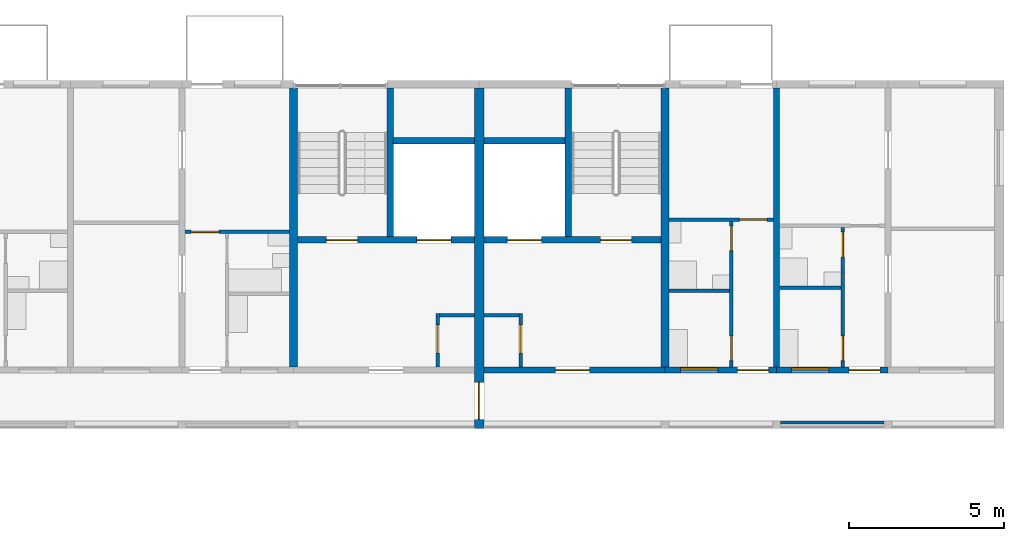
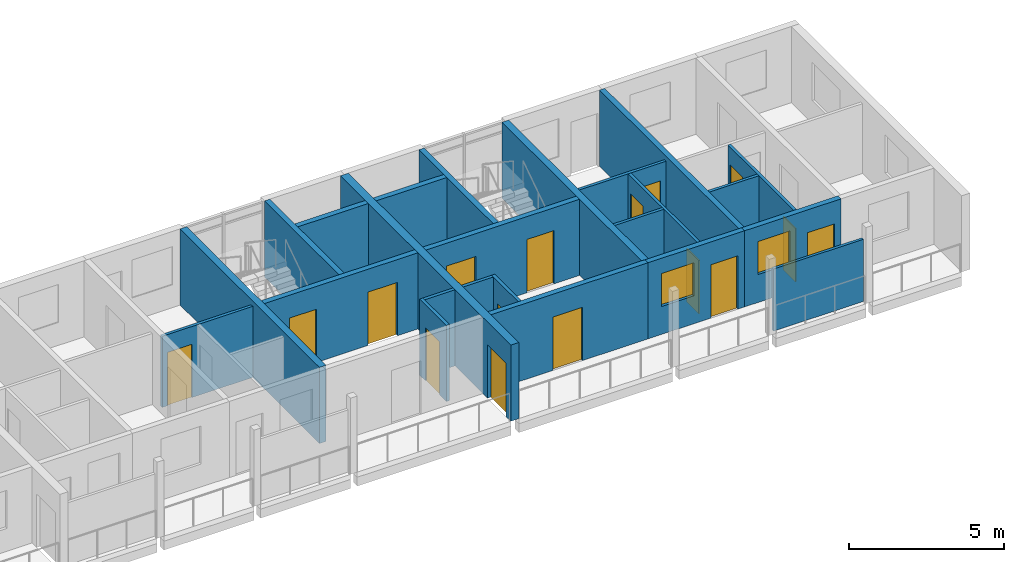
# One storey, part 57 of 93: 24 walls, 16 doors, 2 windows, 18 openings.
"""IFC4 building model written with IfcOpenShell, lengths in metres."""

from ifc_helpers import new_model, si_unit, direction, frame, frame_2d, origin, place, context, subcontext, project, spatial, rectangle, extrude, material, layer, layer_set, type_object, element, fill, save


model = new_model("IFC4")

# Units and contexts
model_context = context("Model", 3, precision=1e-05, world=origin(), true_north=direction((0.0, 1.0)))
body_context = subcontext(model_context, "Body", "Model", "MODEL_VIEW")
ifc_project = project(units=[si_unit("LENGTHUNIT", "METRE"), si_unit("AREAUNIT", "SQUARE_METRE"), si_unit("VOLUMEUNIT", "CUBIC_METRE"), si_unit("PLANEANGLEUNIT", "RADIAN"), si_unit("MASSUNIT", "GRAM", prefix="KILO")], contexts=[model_context])

# Site, building, storey
site_placement = place(None, origin())
site = spatial("IfcSite", under=ifc_project, at=site_placement, CompositionType="ELEMENT")
building_placement = place(site_placement, origin())
building = spatial("IfcBuilding", under=site, at=building_placement, Name="Ridgestep Commons", CompositionType="ELEMENT")
storey_placement = place(building_placement, frame((0.0, 0.0, 18.0)))
storey = spatial("IfcBuildingStorey", under=building, at=storey_placement, Name="L06", CompositionType="ELEMENT", Elevation=18.0)

# Walls
ifc_material_1 = material(Name="Concrete C30/37", Category="concrete")
ifc_layer_1 = layer(ifc_material_1, 0.25)
ifc_layer_set_1 = layer_set([ifc_layer_1], Name="Core cross wall 250")
wall_type_1 = type_object("IfcWallType", Name="Core cross wall 250", PredefinedType="SHEAR", material=ifc_layer_set_1)
for number, where, z_axis, x_axis, name in (
    (1, (224.800048828125, 68.0, 0.0), (0.0, 0.0, 1.0), (0.0, 1.0, 0.0), "Cross wall C-06-2248"),
    (2, (236.800048828125, 68.0, 0.0), (0.0, 0.0, 1.0), (0.0, 1.0, 0.0), "Cross wall C-06-2368"),
):
    element("IfcWall", number, at=place(storey_placement, frame(where, z_axis=z_axis, x_axis=x_axis)), inside=storey, type_object=wall_type_1, Name=name, PredefinedType="SHEAR", context=body_context, shape_type="SweptSolid", body=[
        extrude(rectangle(XDim=9.0, YDim=0.25, at=frame_2d((4.5, 0.0))), origin(), (0.0, 0.0, 1.0), 3.0),
    ])

# Wall, opening, door
ifc_material_2 = material(Name="Concrete C30/37", Category="concrete")
ifc_layer_2 = layer(ifc_material_2, 0.199951171875)
ifc_layer_set_2 = layer_set([ifc_layer_2], Name="Core south wall 200")
wall_type_2 = type_object("IfcWallType", Name="Core south wall 200", PredefinedType="SHEAR", material=ifc_layer_set_2)
wall_1_placement = place(storey_placement, frame((230.949951171875, 67.89990234375, 0.0), z_axis=(0.0, 0.0, 1.0), x_axis=(1.0, 0.0, 0.0)))
wall_1 = element("IfcWall", 3, at=wall_1_placement, inside=storey, type_object=wall_type_2, Name="Core south wall C6C L06", PredefinedType="SHEAR", context=body_context, shape_type="SweptSolid", body=[
    extrude(rectangle(XDim=5.85009765625, YDim=0.199951171875, at=frame_2d((2.925048828125, 0.0))), origin(), (0.0, 0.0, 1.0), 3.0),
])
opening_1_placement = place(wall_1_placement, frame((2.3125, 0.0, 0.0)))
opening_1 = element("IfcOpeningElement", 4, at=opening_1_placement, cuts=wall_1, Name="Opening C6C/06/1", PredefinedType="OPENING", context=body_context, shape_type="SweptSolid", body=[
    extrude(rectangle(XDim=1.10009765625, YDim=2.10009765625, at=frame_2d((0.550048828125, 1.050048828125))), frame((0.0, 0.10986328125, 0.0), z_axis=(0.0, -1.0, 0.0), x_axis=(1.0, 0.0, 0.0)), (0.0, 0.0, 1.0), 0.219970703125),
])
ifc_material_3 = material(Name="Steel fire door", Category="steel")
door_type_1 = type_object("IfcDoorType", Name="Lobby door 1100 x 2100 FD60", OperationType="NOTDEFINED", PredefinedType="DOOR", material=ifc_material_3)
door_1_placement = place(opening_1_placement, origin())
door_1 = element("IfcDoor", 5, at=door_1_placement, inside=storey, type_object=door_type_1, Name="Lobby door C6C/06/1", OperationType="SINGLE_SWING_LEFT", OverallHeight=2.10009765625, OverallWidth=1.10009765625, PredefinedType="DOOR", context=body_context, shape_type="SweptSolid", body=[
    extrude(rectangle(XDim=1.10009765625, YDim=2.10009765625, at=frame_2d((0.550048828125, 1.050048828125))), frame((0.0, 0.02490234375, 0.0), z_axis=(0.0, -1.0, 0.0), x_axis=(1.0, 0.0, 0.0)), (0.0, 0.0, 1.0), 0.050048828125),
])
fill(opening_1, door_1)

ifc_material_4 = material(Name="Concrete C30/37", Category="concrete")
ifc_layer_3 = layer(ifc_material_4, 0.1201171875)
ifc_layer_set_3 = layer_set([ifc_layer_3], Name="Core wall 120")
wall_type_3 = type_object("IfcWallType", Name="Core wall 120", PredefinedType="SHEAR", material=ifc_layer_set_3)
wall_2_placement = place(storey_placement, frame((229.4599609375, 68.0, 0.0), z_axis=(0.0, 0.0, 1.0), x_axis=(0.0, 1.0, 0.0)))
wall_2 = element("IfcWall", 6, at=wall_2_placement, inside=storey, type_object=wall_type_3, Name="Core riser w wall C5C L06", PredefinedType="SHEAR", context=body_context, shape_type="SweptSolid", body=[
    extrude(rectangle(XDim=1.719970703125, YDim=0.1201171875, at=frame_2d((0.85986328125, 0.0))), origin(), (0.0, 0.0, 1.0), 3.0),
])
opening_2_placement = place(wall_2_placement, frame((0.449951171875, 0.0, 0.0)))
opening_2 = element("IfcOpeningElement", 7, at=opening_2_placement, cuts=wall_2, Name="Opening C5C/06/4", PredefinedType="OPENING", context=body_context, shape_type="SweptSolid", body=[
    extrude(rectangle(XDim=0.89990234375, YDim=2.10009765625, at=frame_2d((0.449951171875, 1.050048828125))), frame((0.0, 0.070068359375, 0.0), z_axis=(0.0, -1.0, 0.0), x_axis=(1.0, 0.0, 0.0)), (0.0, 0.0, 1.0), 0.14013671875),
])
ifc_material_5 = material(Name="Steel fire door", Category="steel")
door_type_2 = type_object("IfcDoorType", Name="Riser door 900 x 2100 FD60", OperationType="NOTDEFINED", PredefinedType="DOOR", material=ifc_material_5)
door_2_placement = place(opening_2_placement, origin())
door_2 = element("IfcDoor", 8, at=door_2_placement, inside=storey, type_object=door_type_2, Name="Riser door C5C/06/4", OperationType="SINGLE_SWING_LEFT", OverallHeight=2.10009765625, OverallWidth=0.89990234375, PredefinedType="DOOR", context=body_context, shape_type="SweptSolid", body=[
    extrude(rectangle(XDim=0.89990234375, YDim=2.10009765625, at=frame_2d((0.449951171875, 1.050048828125))), frame((0.0, 0.02490234375, 0.0), z_axis=(0.0, -1.0, 0.0), x_axis=(1.0, 0.0, 0.0)), (0.0, 0.0, 1.0), 0.050048828125),
])
fill(opening_2, door_2)

# Wall
wall_3_placement = place(storey_placement, frame((229.52001953125, 69.659912109375, 0.0), z_axis=(0.0, 0.0, 1.0), x_axis=(1.0, 0.0, 0.0)))
element("IfcWall", 9, at=wall_3_placement, inside=storey, type_object=wall_type_3, Name="Core riser n wall C5C L06", PredefinedType="SHEAR", context=body_context, shape_type="SweptSolid", body=[
    extrude(rectangle(XDim=1.1298828125, YDim=0.1201171875, at=frame_2d((0.56494140625, 0.0))), origin(), (0.0, 0.0, 1.0), 3.0),
])

# Wall, opening, door
wall_4_placement = place(storey_placement, frame((232.139892578125, 68.0, 0.0), z_axis=(0.0, 0.0, 1.0), x_axis=(0.0, 1.0, 0.0)))
wall_4 = element("IfcWall", 10, at=wall_4_placement, inside=storey, type_object=wall_type_3, Name="Core riser w wall C6C L06", PredefinedType="SHEAR", context=body_context, shape_type="SweptSolid", body=[
    extrude(rectangle(XDim=1.719970703125, YDim=0.1201171875, at=frame_2d((0.85986328125, 0.0))), origin(), (0.0, 0.0, 1.0), 3.0),
])
opening_3_placement = place(wall_4_placement, frame((0.449951171875, 0.0, 0.0)))
opening_3 = element("IfcOpeningElement", 11, at=opening_3_placement, cuts=wall_4, Name="Opening C6C/06/4", PredefinedType="OPENING", context=body_context, shape_type="SweptSolid", body=[
    extrude(rectangle(XDim=0.89990234375, YDim=2.10009765625, at=frame_2d((0.449951171875, 1.050048828125))), frame((0.0, 0.070068359375, 0.0), z_axis=(0.0, -1.0, 0.0), x_axis=(1.0, 0.0, 0.0)), (0.0, 0.0, 1.0), 0.14013671875),
])
door_3_placement = place(opening_3_placement, origin())
door_3 = element("IfcDoor", 12, at=door_3_placement, inside=storey, type_object=door_type_2, Name="Riser door C6C/06/4", OperationType="SINGLE_SWING_RIGHT", OverallHeight=2.10009765625, OverallWidth=0.89990234375, PredefinedType="DOOR", context=body_context, shape_type="SweptSolid", body=[
    extrude(rectangle(XDim=0.89990234375, YDim=2.10009765625, at=frame_2d((0.449951171875, 1.050048828125))), frame((0.0, 0.02490234375, 0.0), z_axis=(0.0, -1.0, 0.0), x_axis=(1.0, 0.0, 0.0)), (0.0, 0.0, 1.0), 0.050048828125),
])
fill(opening_3, door_3)

# Wall
wall_5_placement = place(storey_placement, frame((230.949951171875, 69.659912109375, 0.0), z_axis=(0.0, 0.0, 1.0), x_axis=(1.0, 0.0, 0.0)))
element("IfcWall", 13, at=wall_5_placement, inside=storey, type_object=wall_type_3, Name="Core riser n wall C6C L06", PredefinedType="SHEAR", context=body_context, shape_type="SweptSolid", body=[
    extrude(rectangle(XDim=1.130126953125, YDim=0.1201171875, at=frame_2d((0.56494140625, 0.0))), origin(), (0.0, 0.0, 1.0), 3.0),
])

# Wall, openings, doors
ifc_material_6 = material(Name="Concrete C30/37", Category="concrete")
ifc_layer_4 = layer(ifc_material_6, 0.199951171875)
ifc_layer_set_4 = layer_set([ifc_layer_4], Name="Core wall 200")
wall_type_4 = type_object("IfcWallType", Name="Core wall 200", PredefinedType="SHEAR", material=ifc_layer_set_4)
wall_6_placement = place(storey_placement, frame((224.925048828125, 72.10009765625, 0.0), z_axis=(0.0, 0.0, 1.0), x_axis=(1.0, 0.0, 0.0)))
wall_6 = element("IfcWall", 14, at=wall_6_placement, inside=storey, type_object=wall_type_4, Name="Core lobby wall C5C L06", PredefinedType="SHEAR", context=body_context, shape_type="SweptSolid", body=[
    extrude(rectangle(XDim=5.724853515625, YDim=0.199951171875, at=frame_2d((2.8623046875, 0.0))), origin(), (0.0, 0.0, 1.0), 3.0),
])
opening_4_placement = place(wall_6_placement, frame((0.949951171875, 0.0, 0.0)))
opening_4 = element("IfcOpeningElement", 15, at=opening_4_placement, cuts=wall_6, Name="Opening C5C/06/2", PredefinedType="OPENING", context=body_context, shape_type="SweptSolid", body=[
    extrude(rectangle(XDim=1.0, YDim=2.10009765625, at=frame_2d((0.5, 1.050048828125))), frame((0.0, 0.10986328125, 0.0), z_axis=(0.0, -1.0, 0.0), x_axis=(1.0, 0.0, 0.0)), (0.0, 0.0, 1.0), 0.219970703125),
])
opening_5_placement = place(wall_6_placement, frame((3.862548828125, 0.0, 0.0)))
opening_5 = element("IfcOpeningElement", 16, at=opening_5_placement, cuts=wall_6, Name="Opening C5C/06/3", PredefinedType="OPENING", context=body_context, shape_type="SweptSolid", body=[
    extrude(rectangle(XDim=1.10009765625, YDim=2.10009765625, at=frame_2d((0.550048828125, 1.050048828125))), frame((0.0, 0.10986328125, 0.0), z_axis=(0.0, -1.0, 0.0), x_axis=(1.0, 0.0, 0.0)), (0.0, 0.0, 1.0), 0.219970703125),
])
ifc_material_7 = material(Name="Stainless steel", Category="steel")
door_type_3 = type_object("IfcDoorType", Name="Lift landing door 1100 x 2100 FD60", OperationType="DOUBLE_DOOR_SLIDING", PredefinedType="DOOR", material=ifc_material_7)
door_4_placement = place(opening_5_placement, origin())
door_4 = element("IfcDoor", 17, at=door_4_placement, inside=storey, type_object=door_type_3, Name="Landing door LD C5C L06", OperationType="DOUBLE_DOOR_SLIDING", OverallHeight=2.10009765625, OverallWidth=1.10009765625, PredefinedType="DOOR", context=body_context, shape_type="SweptSolid", body=[
    extrude(rectangle(XDim=1.10009765625, YDim=2.10009765625, at=frame_2d((0.550048828125, 1.050048828125))), frame((0.0, 0.02490234375, 0.0), z_axis=(0.0, -1.0, 0.0), x_axis=(1.0, 0.0, 0.0)), (0.0, 0.0, 1.0), 0.050048828125),
])
fill(opening_5, door_4)
ifc_material_8 = material(Name="Steel fire door", Category="steel")
door_type_4 = type_object("IfcDoorType", Name="Stair door 1000 x 2100 FD60", OperationType="NOTDEFINED", PredefinedType="DOOR", material=ifc_material_8)
door_5_placement = place(opening_4_placement, origin())
door_5 = element("IfcDoor", 18, at=door_5_placement, inside=storey, type_object=door_type_4, Name="Stair door C5C/06/2", OperationType="SINGLE_SWING_RIGHT", OverallHeight=2.10009765625, OverallWidth=1.0, PredefinedType="DOOR", context=body_context, shape_type="SweptSolid", body=[
    extrude(rectangle(XDim=1.0, YDim=2.10009765625, at=frame_2d((0.5, 1.050048828125))), frame((0.0, 0.02490234375, 0.0), z_axis=(0.0, -1.0, 0.0), x_axis=(1.0, 0.0, 0.0)), (0.0, 0.0, 1.0), 0.050048828125),
])
fill(opening_4, door_5)

# Walls
wall_7_placement = place(storey_placement, frame((227.925048828125, 72.199951171875, 0.0), z_axis=(0.0, 0.0, 1.0), x_axis=(0.0, 1.0, 0.0)))
element("IfcWall", 19, at=wall_7_placement, inside=storey, type_object=wall_type_4, Name="Core stair wall C5C L06", PredefinedType="SHEAR", context=body_context, shape_type="SweptSolid", body=[
    extrude(rectangle(XDim=4.800048828125, YDim=0.199951171875, at=frame_2d((2.39990234375, 0.0))), origin(), (0.0, 0.0, 1.0), 3.0),
])
wall_8_placement = place(storey_placement, frame((228.02490234375, 75.300048828125, 0.0), z_axis=(0.0, 0.0, 1.0), x_axis=(1.0, 0.0, 0.0)))
element("IfcWall", 20, at=wall_8_placement, inside=storey, type_object=wall_type_4, Name="Core duct wall C5C L06", PredefinedType="SHEAR", context=body_context, shape_type="SweptSolid", body=[
    extrude(rectangle(XDim=2.625, YDim=0.199951171875, at=frame_2d((1.3125, 0.0))), origin(), (0.0, 0.0, 1.0), 3.0),
])

# Wall, openings, doors
wall_9_placement = place(storey_placement, frame((230.949951171875, 72.10009765625, 0.0), z_axis=(0.0, 0.0, 1.0), x_axis=(1.0, 0.0, 0.0)))
wall_9 = element("IfcWall", 21, at=wall_9_placement, inside=storey, type_object=wall_type_4, Name="Core lobby wall C6C L06", PredefinedType="SHEAR", context=body_context, shape_type="SweptSolid", body=[
    extrude(rectangle(XDim=5.72509765625, YDim=0.199951171875, at=frame_2d((2.862548828125, 0.0))), origin(), (0.0, 0.0, 1.0), 3.0),
])
opening_6_placement = place(wall_9_placement, frame((3.77490234375, 0.0, 0.0)))
opening_6 = element("IfcOpeningElement", 22, at=opening_6_placement, cuts=wall_9, Name="Opening C6C/06/2", PredefinedType="OPENING", context=body_context, shape_type="SweptSolid", body=[
    extrude(rectangle(XDim=1.0, YDim=2.10009765625, at=frame_2d((0.5, 1.050048828125))), frame((0.0, 0.10986328125, 0.0), z_axis=(0.0, -1.0, 0.0), x_axis=(1.0, 0.0, 0.0)), (0.0, 0.0, 1.0), 0.219970703125),
])
opening_7_placement = place(wall_9_placement, frame((0.762451171875, 0.0, 0.0)))
opening_7 = element("IfcOpeningElement", 23, at=opening_7_placement, cuts=wall_9, Name="Opening C6C/06/3", PredefinedType="OPENING", context=body_context, shape_type="SweptSolid", body=[
    extrude(rectangle(XDim=1.10009765625, YDim=2.10009765625, at=frame_2d((0.550048828125, 1.050048828125))), frame((0.0, 0.10986328125, 0.0), z_axis=(0.0, -1.0, 0.0), x_axis=(1.0, 0.0, 0.0)), (0.0, 0.0, 1.0), 0.219970703125),
])
door_6_placement = place(opening_7_placement, origin())
door_6 = element("IfcDoor", 24, at=door_6_placement, inside=storey, type_object=door_type_3, Name="Landing door LD C6C L06", OperationType="DOUBLE_DOOR_SLIDING", OverallHeight=2.10009765625, OverallWidth=1.10009765625, PredefinedType="DOOR", context=body_context, shape_type="SweptSolid", body=[
    extrude(rectangle(XDim=1.10009765625, YDim=2.10009765625, at=frame_2d((0.550048828125, 1.050048828125))), frame((0.0, 0.02490234375, 0.0), z_axis=(0.0, -1.0, 0.0), x_axis=(1.0, 0.0, 0.0)), (0.0, 0.0, 1.0), 0.050048828125),
])
fill(opening_7, door_6)
door_7_placement = place(opening_6_placement, origin())
door_7 = element("IfcDoor", 25, at=door_7_placement, inside=storey, type_object=door_type_4, Name="Stair door C6C/06/2", OperationType="SINGLE_SWING_RIGHT", OverallHeight=2.10009765625, OverallWidth=1.0, PredefinedType="DOOR", context=body_context, shape_type="SweptSolid", body=[
    extrude(rectangle(XDim=1.0, YDim=2.10009765625, at=frame_2d((0.5, 1.050048828125))), frame((0.0, 0.02490234375, 0.0), z_axis=(0.0, -1.0, 0.0), x_axis=(1.0, 0.0, 0.0)), (0.0, 0.0, 1.0), 0.050048828125),
])
fill(opening_6, door_7)

# Walls
wall_10_placement = place(storey_placement, frame((233.675048828125, 72.199951171875, 0.0), z_axis=(0.0, 0.0, 1.0), x_axis=(0.0, 1.0, 0.0)))
element("IfcWall", 26, at=wall_10_placement, inside=storey, type_object=wall_type_4, Name="Core stair wall C6C L06", PredefinedType="SHEAR", context=body_context, shape_type="SweptSolid", body=[
    extrude(rectangle(XDim=4.800048828125, YDim=0.199951171875, at=frame_2d((2.39990234375, 0.0))), origin(), (0.0, 0.0, 1.0), 3.0),
])
wall_11_placement = place(storey_placement, frame((230.949951171875, 75.300048828125, 0.0), z_axis=(0.0, 0.0, 1.0), x_axis=(1.0, 0.0, 0.0)))
element("IfcWall", 27, at=wall_11_placement, inside=storey, type_object=wall_type_4, Name="Core duct wall C6C L06", PredefinedType="SHEAR", context=body_context, shape_type="SweptSolid", body=[
    extrude(rectangle(XDim=2.625, YDim=0.199951171875, at=frame_2d((1.3125, 0.0))), origin(), (0.0, 0.0, 1.0), 3.0),
])
ifc_material_9 = material(Name="Precast concrete C40/50", Category="concrete")
ifc_layer_5 = layer(ifc_material_9, 0.199951171875)
ifc_layer_set_5 = layer_set([ifc_layer_5], Name="Cross wall 200")
wall_type_5 = type_object("IfcWallType", Name="Cross wall 200", PredefinedType="SHEAR", material=ifc_layer_set_5)
wall_12_placement = place(storey_placement, frame((240.39990234375, 68.0, 0.0), z_axis=(0.0, 0.0, 1.0), x_axis=(0.0, 1.0, 0.0)))
element("IfcWall", 28, at=wall_12_placement, inside=storey, type_object=wall_type_5, Name="Cross wall C-06-2404", PredefinedType="SHEAR", context=body_context, shape_type="SweptSolid", body=[
    extrude(rectangle(XDim=9.0, YDim=0.199951171875, at=frame_2d((4.5, 0.0))), origin(), (0.0, 0.0, 1.0), 3.0),
])

# Wall, opening, door
ifc_material_10 = material(Name="Precast concrete C40/50", Category="concrete")
ifc_layer_6 = layer(ifc_material_10, 0.300048828125)
ifc_layer_set_6 = layer_set([ifc_layer_6], Name="Division wall 300")
wall_type_6 = type_object("IfcWallType", Name="Division wall 300", PredefinedType="SHEAR", material=ifc_layer_set_6)
wall_13_placement = place(storey_placement, frame((230.800048828125, 66.0, 0.0), z_axis=(0.0, 0.0, 1.0), x_axis=(0.0, 1.0, 0.0)))
wall_13 = element("IfcWall", 29, at=wall_13_placement, inside=storey, type_object=wall_type_6, Name="Cross wall C-06-2308", PredefinedType="SHEAR", context=body_context, shape_type="SweptSolid", body=[
    extrude(rectangle(XDim=11.0, YDim=0.300048828125, at=frame_2d((5.5, 0.0))), origin(), (0.0, 0.0, 1.0), 3.0),
])
opening_8_placement = place(wall_13_placement, frame((0.300048828125, 0.0, 0.0)))
opening_8 = element("IfcOpeningElement", 30, at=opening_8_placement, cuts=wall_13, Name="Opening C/06/G2308", PredefinedType="OPENING", context=body_context, shape_type="SweptSolid", body=[
    extrude(rectangle(XDim=1.199951171875, YDim=2.10009765625, at=frame_2d((0.60009765625, 1.050048828125))), frame((0.0, 0.159912109375, 0.0), z_axis=(0.0, -1.0, 0.0), x_axis=(1.0, 0.0, 0.0)), (0.0, 0.0, 1.0), 0.320068359375),
])
ifc_material_11 = material(Name="Steel fire door", Category="steel")
door_type_5 = type_object("IfcDoorType", Name="Division fire door 1200 x 2100 EI 240", OperationType="DOUBLE_DOOR_SINGLE_SWING", PredefinedType="DOOR", material=ifc_material_11)
door_8_placement = place(opening_8_placement, origin())
door_8 = element("IfcDoor", 31, at=door_8_placement, inside=storey, type_object=door_type_5, Name="Division fire door C/06/G2308", OperationType="DOUBLE_DOOR_SINGLE_SWING", OverallHeight=2.10009765625, OverallWidth=1.199951171875, PredefinedType="DOOR", context=body_context, shape_type="SweptSolid", body=[
    extrude(rectangle(XDim=1.199951171875, YDim=2.10009765625, at=frame_2d((0.60009765625, 1.050048828125))), frame((0.0, 0.02490234375, 0.0), z_axis=(0.0, -1.0, 0.0), x_axis=(1.0, 0.0, 0.0)), (0.0, 0.0, 1.0), 0.050048828125),
])
fill(opening_8, door_8)

ifc_material_12 = material(Name="Common brick 110 mm", Category="masonry")
ifc_layer_7 = layer(ifc_material_12, 0.110107421875)
ifc_layer_set_7 = layer_set([ifc_layer_7], Name="Partition 110")
wall_type_7 = type_object("IfcWallType", Name="Partition 110", PredefinedType="PARTITIONING", material=ifc_layer_set_7)
wall_14_placement = place(storey_placement, frame((221.300048828125, 72.35498046875, 0.0), z_axis=(0.0, 0.0, 1.0), x_axis=(1.0, 0.0, 0.0)))
wall_14 = element("IfcWall", 32, at=wall_14_placement, inside=storey, type_object=wall_type_7, Name="Partition C5-06b", PredefinedType="PARTITIONING", context=body_context, shape_type="SweptSolid", body=[
    extrude(rectangle(XDim=3.375, YDim=0.110107421875, at=frame_2d((1.6875, 0.0))), origin(), (0.0, 0.0, 1.0), 2.800048828125),
])
opening_9_placement = place(wall_14_placement, frame((0.199951171875, 0.0, 0.0)))
opening_9 = element("IfcOpeningElement", 33, at=opening_9_placement, cuts=wall_14, Name="Opening C5-06b/4", PredefinedType="OPENING", context=body_context, shape_type="SweptSolid", body=[
    extrude(rectangle(XDim=0.89990234375, YDim=2.10009765625, at=frame_2d((0.449951171875, 1.050048828125))), frame((0.0, 0.06494140625, 0.0), z_axis=(0.0, -1.0, 0.0), x_axis=(1.0, 0.0, 0.0)), (0.0, 0.0, 1.0), 0.130126953125),
])
ifc_material_13 = material(Name="Timber door leaf", Category="wood")
door_type_6 = type_object("IfcDoorType", Name="Internal door 900 x 2100", OperationType="NOTDEFINED", PredefinedType="DOOR", material=ifc_material_13)
door_9_placement = place(opening_9_placement, origin())
door_9 = element("IfcDoor", 34, at=door_9_placement, inside=storey, type_object=door_type_6, Name="Internal door C5-06b/4", OperationType="SINGLE_SWING_LEFT", OverallHeight=2.10009765625, OverallWidth=0.89990234375, PredefinedType="DOOR", context=body_context, shape_type="SweptSolid", body=[
    extrude(rectangle(XDim=0.89990234375, YDim=2.10009765625, at=frame_2d((0.449951171875, 1.050048828125))), frame((0.0, 0.02490234375, 0.0), z_axis=(0.0, -1.0, 0.0), x_axis=(1.0, 0.0, 0.0)), (0.0, 0.0, 1.0), 0.050048828125),
])
fill(opening_9, door_9)

# Wall
wall_15_placement = place(storey_placement, frame((240.5, 70.554931640625, 0.0), z_axis=(0.0, 0.0, 1.0), x_axis=(1.0, 0.0, 0.0)))
element("IfcWall", 35, at=wall_15_placement, inside=storey, type_object=wall_type_7, Name="Partition C6-06a", PredefinedType="PARTITIONING", context=body_context, shape_type="SweptSolid", body=[
    extrude(rectangle(XDim=1.989990234375, YDim=0.110107421875, at=frame_2d((0.9951171875, 0.0))), origin(), (0.0, 0.0, 1.0), 2.800048828125),
])

# Wall, openings, doors
wall_16_placement = place(storey_placement, frame((242.544921875, 68.0, 0.0), z_axis=(0.0, 0.0, 1.0), x_axis=(0.0, 1.0, 0.0)))
wall_16 = element("IfcWall", 36, at=wall_16_placement, inside=storey, type_object=wall_type_7, Name="Partition C6-06a", PredefinedType="PARTITIONING", context=body_context, shape_type="SweptSolid", body=[
    extrude(rectangle(XDim=4.5, YDim=0.110107421875, at=frame_2d((2.25, 0.0))), origin(), (0.0, 0.0, 1.0), 2.800048828125),
])
opening_10_placement = place(wall_16_placement, frame((0.199951171875, 0.0, 0.0)))
opening_10 = element("IfcOpeningElement", 37, at=opening_10_placement, cuts=wall_16, Name="Opening C6-06a/2", PredefinedType="OPENING", context=body_context, shape_type="SweptSolid", body=[
    extrude(rectangle(XDim=0.800048828125, YDim=2.10009765625, at=frame_2d((0.39990234375, 1.050048828125))), frame((0.0, 0.06494140625, 0.0), z_axis=(0.0, -1.0, 0.0), x_axis=(1.0, 0.0, 0.0)), (0.0, 0.0, 1.0), 0.130126953125),
])
opening_11_placement = place(wall_16_placement, frame((3.550048828125, 0.0, 0.0)))
opening_11 = element("IfcOpeningElement", 38, at=opening_11_placement, cuts=wall_16, Name="Opening C6-06a/3", PredefinedType="OPENING", context=body_context, shape_type="SweptSolid", body=[
    extrude(rectangle(XDim=0.800048828125, YDim=2.10009765625, at=frame_2d((0.39990234375, 1.050048828125))), frame((0.0, 0.06494140625, 0.0), z_axis=(0.0, -1.0, 0.0), x_axis=(1.0, 0.0, 0.0)), (0.0, 0.0, 1.0), 0.130126953125),
])
ifc_material_14 = material(Name="Timber door leaf", Category="wood")
door_type_7 = type_object("IfcDoorType", Name="Internal door 800 x 2100", OperationType="NOTDEFINED", PredefinedType="DOOR", material=ifc_material_14)
door_10_placement = place(opening_10_placement, origin())
door_10 = element("IfcDoor", 39, at=door_10_placement, inside=storey, type_object=door_type_7, Name="Internal door C6-06a/2", OperationType="SINGLE_SWING_LEFT", OverallHeight=2.10009765625, OverallWidth=0.800048828125, PredefinedType="DOOR", context=body_context, shape_type="SweptSolid", body=[
    extrude(rectangle(XDim=0.800048828125, YDim=2.10009765625, at=frame_2d((0.39990234375, 1.050048828125))), frame((0.0, 0.02490234375, 0.0), z_axis=(0.0, -1.0, 0.0), x_axis=(1.0, 0.0, 0.0)), (0.0, 0.0, 1.0), 0.050048828125),
])
fill(opening_10, door_10)
door_11_placement = place(opening_11_placement, origin())
door_11 = element("IfcDoor", 40, at=door_11_placement, inside=storey, type_object=door_type_7, Name="Internal door C6-06a/3", OperationType="SINGLE_SWING_RIGHT", OverallHeight=2.10009765625, OverallWidth=0.800048828125, PredefinedType="DOOR", context=body_context, shape_type="SweptSolid", body=[
    extrude(rectangle(XDim=0.800048828125, YDim=2.10009765625, at=frame_2d((0.39990234375, 1.050048828125))), frame((0.0, 0.02490234375, 0.0), z_axis=(0.0, -1.0, 0.0), x_axis=(1.0, 0.0, 0.0)), (0.0, 0.0, 1.0), 0.050048828125),
])
fill(opening_11, door_11)

# Wall
wall_17_placement = place(storey_placement, frame((236.925048828125, 70.455078125, 0.0), z_axis=(0.0, 0.0, 1.0), x_axis=(1.0, 0.0, 0.0)))
element("IfcWall", 41, at=wall_17_placement, inside=storey, type_object=wall_type_7, Name="Partition C6-06b", PredefinedType="PARTITIONING", context=body_context, shape_type="SweptSolid", body=[
    extrude(rectangle(XDim=1.96484375, YDim=0.110107421875, at=frame_2d((0.982421875, 0.0))), origin(), (0.0, 0.0, 1.0), 2.800048828125),
])

# Wall, openings, doors
wall_18_placement = place(storey_placement, frame((238.945068359375, 68.0, 0.0), z_axis=(0.0, 0.0, 1.0), x_axis=(0.0, 1.0, 0.0)))
wall_18 = element("IfcWall", 42, at=wall_18_placement, inside=storey, type_object=wall_type_7, Name="Partition C6-06b", PredefinedType="PARTITIONING", context=body_context, shape_type="SweptSolid", body=[
    extrude(rectangle(XDim=4.699951171875, YDim=0.110107421875, at=frame_2d((2.35009765625, 0.0))), origin(), (0.0, 0.0, 1.0), 2.800048828125),
])
opening_12_placement = place(wall_18_placement, frame((0.199951171875, 0.0, 0.0)))
opening_12 = element("IfcOpeningElement", 43, at=opening_12_placement, cuts=wall_18, Name="Opening C6-06b/2", PredefinedType="OPENING", context=body_context, shape_type="SweptSolid", body=[
    extrude(rectangle(XDim=0.800048828125, YDim=2.10009765625, at=frame_2d((0.39990234375, 1.050048828125))), frame((0.0, 0.06494140625, 0.0), z_axis=(0.0, -1.0, 0.0), x_axis=(1.0, 0.0, 0.0)), (0.0, 0.0, 1.0), 0.130126953125),
])
opening_13_placement = place(wall_18_placement, frame((3.75, 0.0, 0.0)))
opening_13 = element("IfcOpeningElement", 44, at=opening_13_placement, cuts=wall_18, Name="Opening C6-06b/3", PredefinedType="OPENING", context=body_context, shape_type="SweptSolid", body=[
    extrude(rectangle(XDim=0.800048828125, YDim=2.10009765625, at=frame_2d((0.39990234375, 1.050048828125))), frame((0.0, 0.06494140625, 0.0), z_axis=(0.0, -1.0, 0.0), x_axis=(1.0, 0.0, 0.0)), (0.0, 0.0, 1.0), 0.130126953125),
])
door_12_placement = place(opening_12_placement, origin())
door_12 = element("IfcDoor", 45, at=door_12_placement, inside=storey, type_object=door_type_7, Name="Internal door C6-06b/2", OperationType="SINGLE_SWING_LEFT", OverallHeight=2.10009765625, OverallWidth=0.800048828125, PredefinedType="DOOR", context=body_context, shape_type="SweptSolid", body=[
    extrude(rectangle(XDim=0.800048828125, YDim=2.10009765625, at=frame_2d((0.39990234375, 1.050048828125))), frame((0.0, 0.02490234375, 0.0), z_axis=(0.0, -1.0, 0.0), x_axis=(1.0, 0.0, 0.0)), (0.0, 0.0, 1.0), 0.050048828125),
])
fill(opening_12, door_12)
door_13_placement = place(opening_13_placement, origin())
door_13 = element("IfcDoor", 46, at=door_13_placement, inside=storey, type_object=door_type_7, Name="Internal door C6-06b/3", OperationType="SINGLE_SWING_RIGHT", OverallHeight=2.10009765625, OverallWidth=0.800048828125, PredefinedType="DOOR", context=body_context, shape_type="SweptSolid", body=[
    extrude(rectangle(XDim=0.800048828125, YDim=2.10009765625, at=frame_2d((0.39990234375, 1.050048828125))), frame((0.0, 0.02490234375, 0.0), z_axis=(0.0, -1.0, 0.0), x_axis=(1.0, 0.0, 0.0)), (0.0, 0.0, 1.0), 0.050048828125),
])
fill(opening_13, door_13)

# Wall, opening, door
wall_19_placement = place(storey_placement, frame((236.925048828125, 72.7548828125, 0.0), z_axis=(0.0, 0.0, 1.0), x_axis=(1.0, 0.0, 0.0)))
wall_19 = element("IfcWall", 47, at=wall_19_placement, inside=storey, type_object=wall_type_7, Name="Partition C6-06b", PredefinedType="PARTITIONING", context=body_context, shape_type="SweptSolid", body=[
    extrude(rectangle(XDim=3.375, YDim=0.110107421875, at=frame_2d((1.6875, 0.0))), origin(), (0.0, 0.0, 1.0), 2.800048828125),
])
opening_14_placement = place(wall_19_placement, frame((2.27490234375, 0.0, 0.0)))
opening_14 = element("IfcOpeningElement", 48, at=opening_14_placement, cuts=wall_19, Name="Opening C6-06b/4", PredefinedType="OPENING", context=body_context, shape_type="SweptSolid", body=[
    extrude(rectangle(XDim=0.89990234375, YDim=2.10009765625, at=frame_2d((0.449951171875, 1.050048828125))), frame((0.0, 0.06494140625, 0.0), z_axis=(0.0, -1.0, 0.0), x_axis=(1.0, 0.0, 0.0)), (0.0, 0.0, 1.0), 0.130126953125),
])
door_14_placement = place(opening_14_placement, origin())
door_14 = element("IfcDoor", 49, at=door_14_placement, inside=storey, type_object=door_type_6, Name="Internal door C6-06b/4", OperationType="SINGLE_SWING_LEFT", OverallHeight=2.10009765625, OverallWidth=0.89990234375, PredefinedType="DOOR", context=body_context, shape_type="SweptSolid", body=[
    extrude(rectangle(XDim=0.89990234375, YDim=2.10009765625, at=frame_2d((0.449951171875, 1.050048828125))), frame((0.0, 0.02490234375, 0.0), z_axis=(0.0, -1.0, 0.0), x_axis=(1.0, 0.0, 0.0)), (0.0, 0.0, 1.0), 0.050048828125),
])
fill(opening_14, door_14)

# Wall
ifc_material_15 = material(Name="Precast concrete C30/37", Category="concrete")
ifc_layer_8 = layer(ifc_material_15, 0.10009765625)
ifc_layer_set_8 = layer_set([ifc_layer_8], Name="Perforated gallery screen 3350 x 2450 x 100")
wall_type_8 = type_object("IfcWallType", Name="Perforated gallery screen 3350 x 2450 x 100", PredefinedType="SOLIDWALL", material=ifc_layer_set_8)
wall_20_placement = place(storey_placement, frame((240.52490234375, 66.199951171875, 0.0), z_axis=(0.0, 0.0, 1.0), x_axis=(1.0, 0.0, 0.0)))
element("IfcWall", 50, at=wall_20_placement, inside=storey, type_object=wall_type_8, Name="Gallery screen C6T2 06", PredefinedType="SOLIDWALL", context=body_context, shape_type="SweptSolid", body=[
    extrude(rectangle(XDim=3.35009765625, YDim=0.10009765625, at=frame_2d((1.675048828125, 0.0))), origin(), (0.0, 0.0, 1.0), 2.449951171875),
])

# Wall, openings, door, window
ifc_material_16 = material(Name="Precast concrete C40/50", Category="concrete")
ifc_layer_9 = layer(ifc_material_16, 0.199951171875)
ifc_layer_set_9 = layer_set([ifc_layer_9], Name="South facade panel 200")
wall_type_9 = type_object("IfcWallType", Name="South facade panel 200", PredefinedType="SOLIDWALL", material=ifc_layer_set_9)
wall_21_placement = place(storey_placement, frame((236.800048828125, 67.89990234375, 0.0), z_axis=(0.0, 0.0, 1.0), x_axis=(1.0, 0.0, 0.0)))
wall_21 = element("IfcWall", 51, at=wall_21_placement, inside=storey, type_object=wall_type_9, Name="South panel C6T3 L06", PredefinedType="SOLIDWALL", context=body_context, shape_type="SweptSolid", body=[
    extrude(rectangle(XDim=3.599853515625, YDim=0.199951171875, at=frame_2d((1.7998046875, 0.0))), origin(), (0.0, 0.0, 1.0), 3.0),
])
opening_15_placement = place(wall_21_placement, frame((0.507568359375, 0.0, 1.10009765625)))
opening_15 = element("IfcOpeningElement", 52, at=opening_15_placement, cuts=wall_21, Name="Opening W08", PredefinedType="OPENING", context=body_context, shape_type="SweptSolid", body=[
    extrude(rectangle(XDim=1.199951171875, YDim=1.300048828125, at=frame_2d((0.60009765625, 0.64990234375))), frame((0.0, 0.10986328125, 0.0), z_axis=(0.0, -1.0, 0.0), x_axis=(1.0, 0.0, 0.0)), (0.0, 0.0, 1.0), 0.219970703125),
])
opening_16_placement = place(wall_21_placement, frame((2.35009765625, 0.0, 0.0)))
opening_16 = element("IfcOpeningElement", 53, at=opening_16_placement, cuts=wall_21, Name="Opening C6-06b/1", PredefinedType="OPENING", context=body_context, shape_type="SweptSolid", body=[
    extrude(rectangle(XDim=1.0, YDim=2.10009765625, at=frame_2d((0.5, 1.050048828125))), frame((0.0, 0.10986328125, 0.0), z_axis=(0.0, -1.0, 0.0), x_axis=(1.0, 0.0, 0.0)), (0.0, 0.0, 1.0), 0.219970703125),
])
ifc_material_17 = material(Name="Timber door leaf", Category="wood")
door_type_8 = type_object("IfcDoorType", Name="Flat entrance door 1000 x 2100 FD30S", OperationType="NOTDEFINED", PredefinedType="DOOR", material=ifc_material_17)
door_15_placement = place(opening_16_placement, origin())
door_15 = element("IfcDoor", 54, at=door_15_placement, inside=storey, type_object=door_type_8, Name="Flat entrance door C6-06b/1", OperationType="SINGLE_SWING_RIGHT", OverallHeight=2.10009765625, OverallWidth=1.0, PredefinedType="DOOR", context=body_context, shape_type="SweptSolid", body=[
    extrude(rectangle(XDim=1.0, YDim=2.10009765625, at=frame_2d((0.5, 1.050048828125))), frame((0.0, 0.02490234375, 0.0), z_axis=(0.0, -1.0, 0.0), x_axis=(1.0, 0.0, 0.0)), (0.0, 0.0, 1.0), 0.050048828125),
])
fill(opening_16, door_15)
ifc_material_18 = material(Name="Aluminium 6063-T6 and glass", Category="aluminium")
window_type = type_object("IfcWindowType", Name="Flat window 1200 x 1300", PartitioningType="SINGLE_PANEL", PredefinedType="WINDOW", material=ifc_material_18)
window_1_placement = place(opening_15_placement, origin())
window_1 = element("IfcWindow", 55, at=window_1_placement, inside=storey, type_object=window_type, Name="Window C6-06b 1", OverallHeight=1.300048828125, OverallWidth=1.199951171875, PartitioningType="SINGLE_PANEL", PredefinedType="WINDOW", context=body_context, shape_type="SweptSolid", body=[
    extrude(rectangle(XDim=1.199951171875, YDim=1.300048828125, at=frame_2d((0.60009765625, 0.64990234375))), frame((0.0, 0.06005859375, 0.0), z_axis=(0.0, -1.0, 0.0), x_axis=(1.0, 0.0, 0.0)), (0.0, 0.0, 1.0), 0.06005859375),
])
fill(opening_15, window_1)

wall_22_placement = place(storey_placement, frame((240.39990234375, 67.89990234375, 0.0), z_axis=(0.0, 0.0, 1.0), x_axis=(1.0, 0.0, 0.0)))
wall_22 = element("IfcWall", 56, at=wall_22_placement, inside=storey, type_object=wall_type_9, Name="South panel C6T2 L06", PredefinedType="SOLIDWALL", context=body_context, shape_type="SweptSolid", body=[
    extrude(rectangle(XDim=3.60009765625, YDim=0.199951171875, at=frame_2d((1.800048828125, 0.0))), origin(), (0.0, 0.0, 1.0), 3.0),
])
opening_17_placement = place(wall_22_placement, frame((0.4951171875, 0.0, 1.10009765625)))
opening_17 = element("IfcOpeningElement", 57, at=opening_17_placement, cuts=wall_22, Name="Opening W08", PredefinedType="OPENING", context=body_context, shape_type="SweptSolid", body=[
    extrude(rectangle(XDim=1.199951171875, YDim=1.300048828125, at=frame_2d((0.60009765625, 0.64990234375))), frame((0.0, 0.10986328125, 0.0), z_axis=(0.0, -1.0, 0.0), x_axis=(1.0, 0.0, 0.0)), (0.0, 0.0, 1.0), 0.219970703125),
])
opening_18_placement = place(wall_22_placement, frame((2.35009765625, 0.0, 0.0)))
opening_18 = element("IfcOpeningElement", 58, at=opening_18_placement, cuts=wall_22, Name="Opening C6-06a/1", PredefinedType="OPENING", context=body_context, shape_type="SweptSolid", body=[
    extrude(rectangle(XDim=1.0, YDim=2.10009765625, at=frame_2d((0.5, 1.050048828125))), frame((0.0, 0.10986328125, 0.0), z_axis=(0.0, -1.0, 0.0), x_axis=(1.0, 0.0, 0.0)), (0.0, 0.0, 1.0), 0.219970703125),
])
door_16_placement = place(opening_18_placement, origin())
door_16 = element("IfcDoor", 59, at=door_16_placement, inside=storey, type_object=door_type_8, Name="Flat entrance door C6-06a/1", OperationType="SINGLE_SWING_RIGHT", OverallHeight=2.10009765625, OverallWidth=1.0, PredefinedType="DOOR", context=body_context, shape_type="SweptSolid", body=[
    extrude(rectangle(XDim=1.0, YDim=2.10009765625, at=frame_2d((0.5, 1.050048828125))), frame((0.0, 0.02490234375, 0.0), z_axis=(0.0, -1.0, 0.0), x_axis=(1.0, 0.0, 0.0)), (0.0, 0.0, 1.0), 0.050048828125),
])
fill(opening_18, door_16)
window_2_placement = place(opening_17_placement, origin())
window_2 = element("IfcWindow", 60, at=window_2_placement, inside=storey, type_object=window_type, Name="Window C6-06a 3", OverallHeight=1.300048828125, OverallWidth=1.199951171875, PartitioningType="SINGLE_PANEL", PredefinedType="WINDOW", context=body_context, shape_type="SweptSolid", body=[
    extrude(rectangle(XDim=1.199951171875, YDim=1.300048828125, at=frame_2d((0.60009765625, 0.64990234375))), frame((0.0, 0.06005859375, 0.0), z_axis=(0.0, -1.0, 0.0), x_axis=(1.0, 0.0, 0.0)), (0.0, 0.0, 1.0), 0.06005859375),
])
fill(opening_17, window_2)

save(model, "model.ifc")
